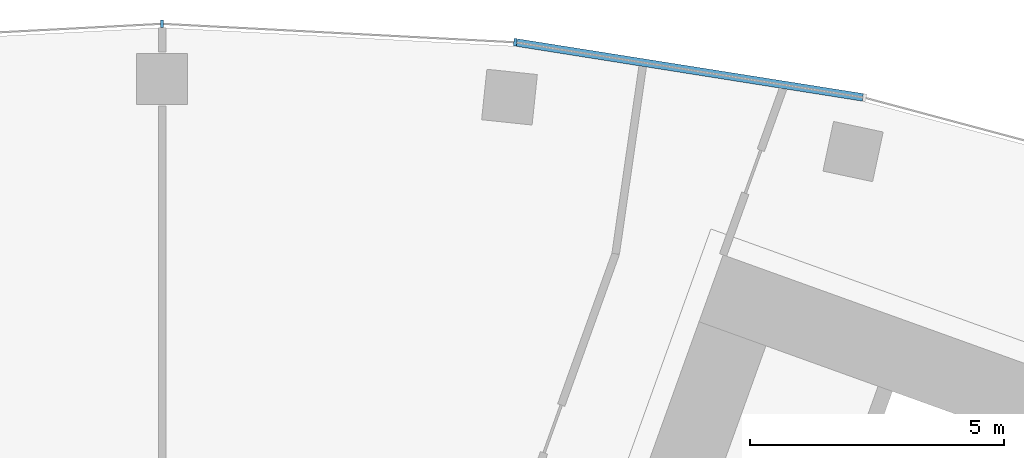
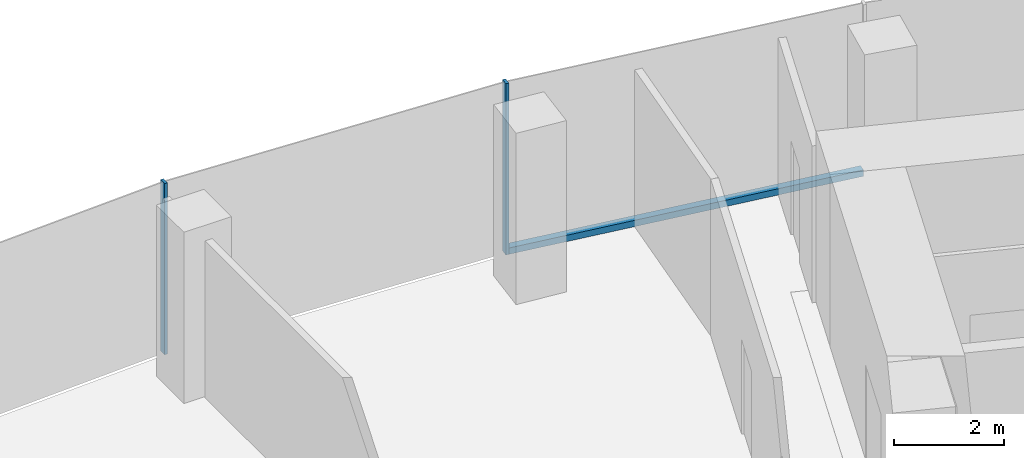
# One storey, part 7 of 20: 3 members, 1 element without a shape of its own.
"""IFC4 building model written with IfcOpenShell, lengths in metres."""

from ifc_helpers import new_model, si_unit, direction, frame, origin, origin_2d, place, context, subcontext, project, spatial, rectangle, extrude, material, layer, layer_set, material_profile, profile_set, type_object, element, aggregate, save


model = new_model("IFC4")

# Units and contexts
model_context = context("Model", 3, precision=1e-05, world=origin(), true_north=direction((0.0, 1.0)))
body_context = subcontext(model_context, "Body", "Model", "MODEL_VIEW")
ifc_project = project(units=[si_unit("LENGTHUNIT", "METRE"), si_unit("AREAUNIT", "SQUARE_METRE"), si_unit("VOLUMEUNIT", "CUBIC_METRE"), si_unit("PLANEANGLEUNIT", "RADIAN"), si_unit("MASSUNIT", "GRAM", prefix="KILO")], contexts=[model_context])

# Site, building, storey
site_placement = place(None, origin())
site = spatial("IfcSite", under=ifc_project, at=site_placement, CompositionType="ELEMENT")
building_placement = place(site_placement, origin())
building = spatial("IfcBuilding", under=site, at=building_placement, Name="Stone Belt Terrace Tower", CompositionType="ELEMENT")
storey_placement = place(building_placement, frame((0.0, 0.0, 147.800048828125)))
storey = spatial("IfcBuildingStorey", under=building, at=storey_placement, Name="L35", CompositionType="ELEMENT", Elevation=147.800048828125)

# Curtain wall, members
ifc_material = material(Name="Aluminium 6063-T6 anodised frame", Category="aluminium")
ifc_layer = layer(ifc_material, 0.14990234375)
ifc_layer_set = layer_set([ifc_layer], Name="CW-A unitised convex-face curtain wall")
curtain_wall_type = type_object("IfcCurtainWallType", Name="CW-A unitised convex-face curtain wall", PredefinedType="NOTDEFINED", material=ifc_layer_set)
curtain_wall_placement = place(storey_placement, origin())
curtain_wall = element("IfcCurtainWall", 1, at=curtain_wall_placement, inside=storey, type_object=curtain_wall_type, Name="CW-A convex face L35", PredefinedType="NOTDEFINED")
ifc_material_profile_1 = material_profile(ifc_material, rectangle(XDim=0.14990234375, YDim=0.06005859375, at=origin_2d()), Name="Aluminium 6063-T6 60x150")
ifc_profile_set_1 = profile_set([ifc_material_profile_1], Name="Aluminium 6063-T6 anodised frame")
member_type_1 = type_object("IfcMemberType", Name="CW-A mullion 60 x 150", PredefinedType="MULLION", material=ifc_profile_set_1)
member_1_placement = place(storey_placement, frame((6.958984375, 66.21044921875, 0.0), z_axis=(0.0, 0.0, 1.0), x_axis=(-0.104528463268, -0.994521895368, 0.0)))
member_1 = element("IfcMember", 2, at=member_1_placement, type_object=member_type_1, Name="CW-A mullion 8", PredefinedType="MULLION", context=body_context, shape_type="SweptSolid", body=[
    extrude(rectangle(XDim=0.14990234375, YDim=0.06005859375, at=origin_2d()), origin(), (0.0, 0.0, 1.0), 3.800048828125),
])
member_2_placement = place(storey_placement, frame((0.0, 66.5751953125, 0.0), z_axis=(0.0, 0.0, 1.0), x_axis=(0.0, -1.0, 0.0)))
member_2 = element("IfcMember", 3, at=member_2_placement, type_object=member_type_1, Name="CW-A mullion 9", PredefinedType="MULLION", context=body_context, shape_type="SweptSolid", body=[
    extrude(rectangle(XDim=0.14990234375, YDim=0.06005859375, at=origin_2d()), origin(), (0.0, 0.0, 1.0), 3.800048828125),
])
ifc_material_profile_2 = material_profile(ifc_material, rectangle(XDim=0.14990234375, YDim=0.139892578125, at=origin_2d()), Name="Aluminium 6063-T6 150x140")
ifc_profile_set_2 = profile_set([ifc_material_profile_2], Name="Aluminium 6063-T6 anodised frame")
member_type_2 = type_object("IfcMemberType", Name="CW-A transom 140 x 150", PredefinedType="USERDEFINED", material=ifc_profile_set_2)
member_3_placement = place(storey_placement, frame((13.808349609375, 65.12548828125, 0.070068359375), z_axis=(-0.987687120531, 0.156442168027, 0.0), x_axis=(-0.156442168027, -0.987687120531, 0.0)))
member_3 = element("IfcMember", 4, at=member_3_placement, type_object=member_type_2, Name="CW-A transom 7.1", ObjectType="TRANSOM", PredefinedType="USERDEFINED", context=body_context, shape_type="SweptSolid", body=[
    extrude(rectangle(XDim=0.14990234375, YDim=0.139892578125, at=origin_2d()), origin(), (0.0, 0.0, 1.0), 6.90087890625),
])
aggregate(curtain_wall, [member_1, member_2, member_3])

save(model, "model.ifc")
